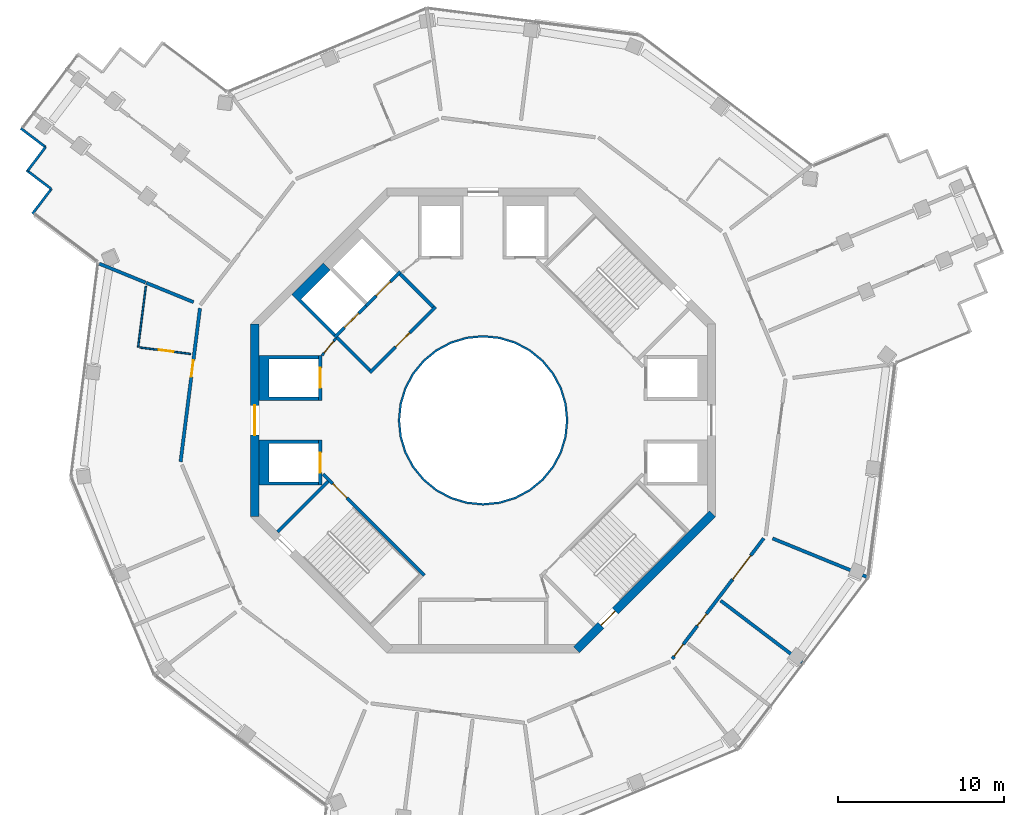
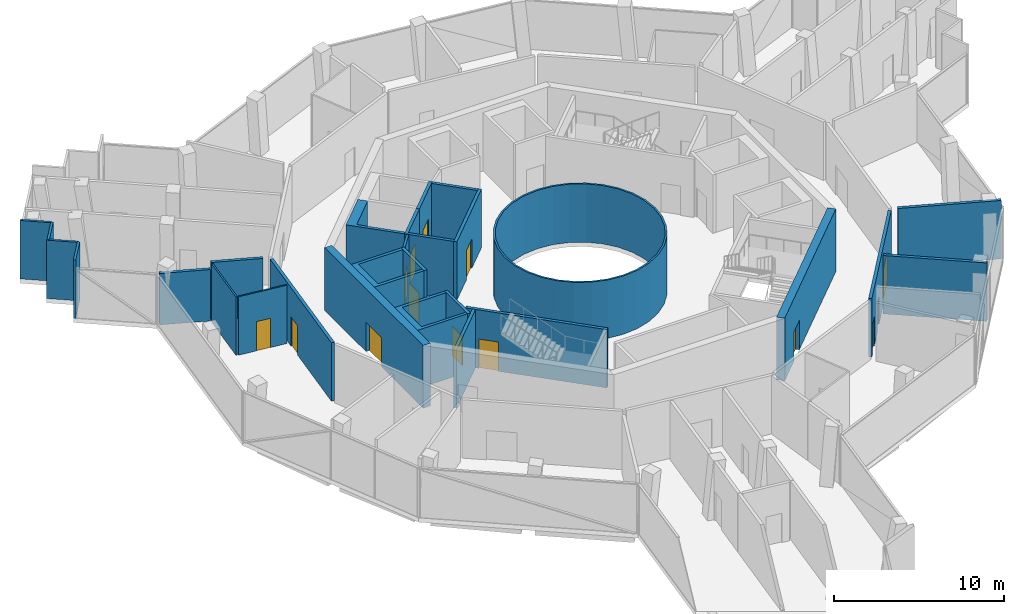
# One storey, part 13 of 18: 28 walls, 14 doors, 14 openings.
"""IFC4 building model written with IfcOpenShell, lengths in metres."""

from ifc_helpers import new_model, si_unit, direction, frame, frame_2d, origin, place, context, subcontext, project, spatial, polyline, rectangle, outline, extrude, material, layer, layer_set, type_object, element, fill, save


model = new_model("IFC4")

# Units and contexts
model_context = context("Model", 3, precision=1e-05, world=origin(), true_north=direction((0.0, 1.0)))
body_context = subcontext(model_context, "Body", "Model", "MODEL_VIEW")
ifc_project = project(units=[si_unit("LENGTHUNIT", "METRE"), si_unit("AREAUNIT", "SQUARE_METRE"), si_unit("VOLUMEUNIT", "CUBIC_METRE"), si_unit("PLANEANGLEUNIT", "RADIAN"), si_unit("MASSUNIT", "GRAM", prefix="KILO")], contexts=[model_context])

# Site, building, storey
site_placement = place(None, origin())
site = spatial("IfcSite", under=ifc_project, at=site_placement, CompositionType="ELEMENT")
building_placement = place(site_placement, origin())
building = spatial("IfcBuilding", under=site, at=building_placement, Name="Verdalira Terraces Hotel", CompositionType="ELEMENT")
storey_placement = place(building_placement, frame((0.0, 0.0, 248.0)))
storey = spatial("IfcBuildingStorey", under=building, at=storey_placement, Name="L61", CompositionType="ELEMENT", Elevation=248.0)

# Walls
ifc_material_1 = material(Name="Fire-resisting glass EI 180", Category="glass")
ifc_layer_1 = layer(ifc_material_1, 0.1201171875)
ifc_layer_set_1 = layer_set([ifc_layer_1], Name="Atrium fire screen 120 mm")
wall_type_1 = type_object("IfcWallType", Name="Atrium fire screen 120 mm", PredefinedType="SOLIDWALL", material=ifc_layer_set_1)
wall_1_placement = place(storey_placement, origin())
element("IfcWall", 1, at=wall_1_placement, inside=storey, type_object=wall_type_1, Name="Atrium fire screen", PredefinedType="SOLIDWALL", context=body_context, shape_type="SweptSolid", body=[
    extrude(outline(polyline([(5.021484, -0.998779), (4.730225, -1.959229), (4.25708, -2.844482), (3.620361, -3.620361), (2.844482, -4.25708), (1.959229, -4.730225), (0.998779, -5.021484), (0.0, -5.120117), (-0.998779, -5.021484), (-1.959229, -4.730225), (-2.844482, -4.25708), (-3.620361, -3.620361), (-4.25708, -2.844482), (-4.730225, -1.959229), (-5.021484, -0.998779), (-5.120117, 0.0), (-5.021484, 0.998779), (-4.730225, 1.959229), (-4.25708, 2.844482), (-3.620361, 3.620361), (-2.844482, 4.25708), (-1.959229, 4.730225), (-0.998779, 5.021484), (0.0, 5.120117), (0.998779, 5.021484), (1.959229, 4.730225), (2.844482, 4.25708), (3.620361, 3.620361), (4.25708, 2.844482), (4.730225, 1.959229), (5.021484, 0.998779), (5.120117, 0.0), (5.021484, -0.998779)]), holes=[polyline([(4.903809, 0.975586), (4.619385, 1.91333), (4.157227, 2.777832), (3.5354, 3.5354), (2.777832, 4.157227), (1.91333, 4.619385), (0.975586, 4.903809), (0.0, 5.0), (-0.975586, 4.903809), (-1.91333, 4.619385), (-2.777832, 4.157227), (-3.5354, 3.5354), (-4.157227, 2.777832), (-4.619385, 1.91333), (-4.903809, 0.975586), (-5.0, 0.0), (-4.903809, -0.975586), (-4.619385, -1.91333), (-4.157227, -2.777832), (-3.5354, -3.5354), (-2.777832, -4.157227), (-1.91333, -4.619385), (-0.975586, -4.903809), (0.0, -5.0), (0.975586, -4.903809), (1.91333, -4.619385), (2.777832, -4.157227), (3.5354, -3.5354), (4.157227, -2.777832), (4.619385, -1.91333), (4.903809, -0.975586), (5.0, 0.0), (4.903809, 0.975586)])]), origin(), (0.0, 0.0, 1.0), 4.189941),
])
ifc_material_2 = material(Name="Moisture-resistant gypsum board partition")
ifc_layer_2 = layer(ifc_material_2, 0.10009765625)
ifc_layer_set_2 = layer_set([ifc_layer_2], Name="Bathroom partition 100 mm")
wall_type_2 = type_object("IfcWallType", Name="Bathroom partition 100 mm", PredefinedType="PARTITIONING", material=ifc_layer_set_2)
wall_2_placement = place(storey_placement, frame((-20.770996, 4.39624, 0.0), z_axis=(0.0, 0.0, 1.0), x_axis=(0.125300159, 0.992118879, 0.0)))
element("IfcWall", 2, at=wall_2_placement, inside=storey, type_object=wall_type_2, Name="Bathroom partition", PredefinedType="PARTITIONING", context=body_context, shape_type="SweptSolid", body=[
    extrude(rectangle(XDim=3.704102, YDim=0.100098, at=frame_2d((1.852051, 0.0))), origin(), (0.0, 0.0, 1.0), 4.189941),
])

# Wall, opening, door
wall_3_placement = place(storey_placement, frame((-20.671875, 4.383789, 0.0), z_axis=(0.0, 0.0, 1.0), x_axis=(0.99210978, -0.125372184, 0.0)))
wall_3 = element("IfcWall", 3, at=wall_3_placement, inside=storey, type_object=wall_type_2, Name="Bathroom partition", PredefinedType="PARTITIONING", context=body_context, shape_type="SweptSolid", body=[
    extrude(rectangle(XDim=3.100098, YDim=0.100098, at=frame_2d((1.550049, 0.0))), origin(), (0.0, 0.0, 1.0), 4.189941),
])
opening_1_placement = place(wall_3_placement, frame((1.149902, 0.0, 0.0)))
opening_1 = element("IfcOpeningElement", 4, at=opening_1_placement, cuts=wall_3, Name="Opening L61-105", PredefinedType="OPENING", context=body_context, shape_type="SweptSolid", body=[
    extrude(rectangle(XDim=0.899902, YDim=2.100098, at=frame_2d((0.449951, 1.050049))), frame((0.0, 0.060059, 0.0), z_axis=(0.0, -1.0, 0.0), x_axis=(1.0, 0.0, 0.0)), (0.0, 0.0, 1.0), 0.120117),
])
ifc_material_3 = material(Name="Timber door", Category="wood")
door_type_1 = type_object("IfcDoorType", Name="Bathroom door 900 x 2100", OperationType="NOTDEFINED", PredefinedType="DOOR", material=ifc_material_3)
door_1_placement = place(opening_1_placement, origin())
door_1 = element("IfcDoor", 5, at=door_1_placement, inside=storey, type_object=door_type_1, Name="Bathroom door 6102", OperationType="SINGLE_SWING_LEFT", OverallHeight=2.10009765625, OverallWidth=0.89990234375, PredefinedType="DOOR", context=body_context, shape_type="SweptSolid", body=[
    extrude(rectangle(XDim=0.899902, YDim=2.100098, at=frame_2d((0.449951, 1.050049))), frame((0.0, 0.024902, 0.0), z_axis=(0.0, -1.0, 0.0), x_axis=(1.0, 0.0, 0.0)), (0.0, 0.0, 1.0), 0.050049),
])
fill(opening_1, door_1)

# Wall
ifc_material_4 = material(Name="Concrete C50", Category="concrete")
ifc_layer_3 = layer(ifc_material_4, 0.199951171875)
ifc_layer_set_3 = layer_set([ifc_layer_3], Name="Core RC wall 200 C50")
wall_type_3 = type_object("IfcWallType", Name="Core RC wall 200 C50", PredefinedType="SOLIDWALL", material=ifc_layer_set_3)
wall_4_placement = place(storey_placement, origin())
element("IfcWall", 6, at=wall_4_placement, inside=storey, type_object=wall_type_3, Name="L61 shaft wall W1", PredefinedType="SOLIDWALL", context=body_context, shape_type="SweptSolid", body=[
    extrude(outline(polyline([(-13.5, 3.899902), (-9.899902, 3.899902), (-9.899902, 3.699951), (-12.899902, 3.699951), (-12.899902, 1.399902), (-9.899902, 1.399902), (-9.899902, 1.199951), (-13.5, 1.199951), (-13.5, 3.899902)])), origin(), (0.0, 0.0, 1.0), 4.189941),
])

# Wall, opening, door
wall_5_placement = place(storey_placement, frame((-9.800049, 1.199951, 0.0), z_axis=(0.0, 0.0, 1.0), x_axis=(0.0, 1.0, 0.0)))
wall_5 = element("IfcWall", 7, at=wall_5_placement, inside=storey, type_object=wall_type_3, Name="L61 shaft front wall W1", PredefinedType="SOLIDWALL", context=body_context, shape_type="SweptSolid", body=[
    extrude(rectangle(XDim=2.699951, YDim=0.199951, at=frame_2d((1.350098, 0.0))), origin(), (0.0, 0.0, 1.0), 4.189941),
])
opening_2_placement = place(wall_5_placement, frame((0.75, 0.0, 0.0)))
opening_2 = element("IfcOpeningElement", 8, at=opening_2_placement, cuts=wall_5, Name="Opening LD-L61-806", PredefinedType="OPENING", context=body_context, shape_type="SweptSolid", body=[
    extrude(rectangle(XDim=1.199951, YDim=2.100098, at=frame_2d((0.600098, 1.050049))), frame((0.0, 0.109863, 0.0), z_axis=(0.0, -1.0, 0.0), x_axis=(1.0, 0.0, 0.0)), (0.0, 0.0, 1.0), 0.219971),
])
ifc_material_5 = material(Name="Stainless steel", Category="steel")
door_type_2 = type_object("IfcDoorType", Name="Landing door 1200 x 2100", OperationType="NOTDEFINED", PredefinedType="DOOR", material=ifc_material_5)
door_2_placement = place(opening_2_placement, origin())
door_2 = element("IfcDoor", 9, at=door_2_placement, inside=storey, type_object=door_type_2, Name="Lift landing door HR5 L61", OperationType="DOUBLE_DOOR_SLIDING", OverallHeight=2.10009765625, OverallWidth=1.199951171875, PredefinedType="DOOR", context=body_context, shape_type="SweptSolid", body=[
    extrude(rectangle(XDim=1.199951, YDim=2.100098, at=frame_2d((0.600098, 1.050049))), frame((0.0, 0.024902, 0.0), z_axis=(0.0, -1.0, 0.0), x_axis=(1.0, 0.0, 0.0)), (0.0, 0.0, 1.0), 0.050049),
])
fill(opening_2, door_2)

# Wall
wall_6_placement = place(storey_placement, origin())
element("IfcWall", 10, at=wall_6_placement, inside=storey, type_object=wall_type_3, Name="L61 shaft wall W2", PredefinedType="SOLIDWALL", context=body_context, shape_type="SweptSolid", body=[
    extrude(outline(polyline([(-13.5, -3.899902), (-13.5, -1.199951), (-9.899902, -1.199951), (-9.899902, -1.399902), (-12.899902, -1.399902), (-12.899902, -3.699951), (-9.899902, -3.699951), (-9.899902, -3.899902), (-13.5, -3.899902)])), origin(), (0.0, 0.0, 1.0), 4.189941),
])

# Wall, opening, door
wall_7_placement = place(storey_placement, frame((-9.800049, -1.199951, 0.0), z_axis=(0.0, 0.0, 1.0), x_axis=(0.0, -1.0, 0.0)))
wall_7 = element("IfcWall", 11, at=wall_7_placement, inside=storey, type_object=wall_type_3, Name="L61 shaft front wall W2", PredefinedType="SOLIDWALL", context=body_context, shape_type="SweptSolid", body=[
    extrude(rectangle(XDim=2.699951, YDim=0.199951, at=frame_2d((1.350098, 0.0))), origin(), (0.0, 0.0, 1.0), 4.189941),
])
opening_3_placement = place(wall_7_placement, frame((0.75, 0.0, 0.0)))
opening_3 = element("IfcOpeningElement", 12, at=opening_3_placement, cuts=wall_7, Name="Opening LD-L61-807", PredefinedType="OPENING", context=body_context, shape_type="SweptSolid", body=[
    extrude(rectangle(XDim=1.199951, YDim=2.100098, at=frame_2d((0.600098, 1.050049))), frame((0.0, 0.109863, 0.0), z_axis=(0.0, -1.0, 0.0), x_axis=(1.0, 0.0, 0.0)), (0.0, 0.0, 1.0), 0.219971),
])
door_3_placement = place(opening_3_placement, origin())
door_3 = element("IfcDoor", 13, at=door_3_placement, inside=storey, type_object=door_type_2, Name="Lift landing door HR6 L61", OperationType="DOUBLE_DOOR_SLIDING", OverallHeight=2.10009765625, OverallWidth=1.199951171875, PredefinedType="DOOR", context=body_context, shape_type="SweptSolid", body=[
    extrude(rectangle(XDim=1.199951, YDim=2.100098, at=frame_2d((0.600098, 1.050049))), frame((0.0, 0.024902, 0.0), z_axis=(0.0, -1.0, 0.0), x_axis=(1.0, 0.0, 0.0)), (0.0, 0.0, 1.0), 0.050049),
])
fill(opening_3, door_3)

wall_8_placement = place(storey_placement, frame((-4.985107, 8.944824, 0.0), z_axis=(0.0, 0.0, 1.0), x_axis=(-0.707106781, -0.707106781, 0.0)))
wall_8 = element("IfcWall", 14, at=wall_8_placement, inside=storey, type_object=wall_type_3, Name="L61 shaft front wall F1", PredefinedType="SOLIDWALL", context=body_context, shape_type="SweptSolid", body=[
    extrude(rectangle(XDim=2.899902, YDim=0.199951, at=frame_2d((1.449951, 0.0))), origin(), (0.0, 0.0, 1.0), 4.189941),
])
opening_4_placement = place(wall_8_placement, frame((0.850098, 0.0, 0.0)))
opening_4 = element("IfcOpeningElement", 15, at=opening_4_placement, cuts=wall_8, Name="Opening LD-L61-808", PredefinedType="OPENING", context=body_context, shape_type="SweptSolid", body=[
    extrude(rectangle(XDim=1.199951, YDim=2.100098, at=frame_2d((0.600098, 1.050049))), frame((0.0, 0.109863, 0.0), z_axis=(0.0, -1.0, 0.0), x_axis=(1.0, 0.0, 0.0)), (0.0, 0.0, 1.0), 0.219971),
])
door_4_placement = place(opening_4_placement, origin())
door_4 = element("IfcDoor", 16, at=door_4_placement, inside=storey, type_object=door_type_2, Name="Lift landing door LF11 L61", OperationType="DOUBLE_DOOR_SLIDING", OverallHeight=2.10009765625, OverallWidth=1.199951171875, PredefinedType="DOOR", context=body_context, shape_type="SweptSolid", body=[
    extrude(rectangle(XDim=1.199951, YDim=2.100098, at=frame_2d((0.600098, 1.050049))), frame((0.0, 0.024902, 0.0), z_axis=(0.0, -1.0, 0.0), x_axis=(1.0, 0.0, 0.0)), (0.0, 0.0, 1.0), 0.050049),
])
fill(opening_4, door_4)

# Wall
wall_9_placement = place(storey_placement, origin())
element("IfcWall", 17, at=wall_9_placement, inside=storey, type_object=wall_type_3, Name="L61 shaft wall F2", PredefinedType="SOLIDWALL", context=body_context, shape_type="SweptSolid", body=[
    extrude(outline(polyline([(-11.525879, 7.565918), (-9.616699, 9.475098), (-9.192383, 9.051025), (-10.960205, 7.283203), (-8.874268, 5.197266), (-9.015625, 5.055908), (-11.525879, 7.565918)])), origin(), (0.0, 0.0, 1.0), 4.189941),
])

# Wall, opening, door
wall_10_placement = place(storey_placement, frame((-7.035645, 6.894287, 0.0), z_axis=(0.0, 0.0, 1.0), x_axis=(-0.707106781, -0.707106781, 0.0)))
wall_10 = element("IfcWall", 18, at=wall_10_placement, inside=storey, type_object=wall_type_3, Name="L61 shaft front wall F2", PredefinedType="SOLIDWALL", context=body_context, shape_type="SweptSolid", body=[
    extrude(rectangle(XDim=2.699951, YDim=0.199951, at=frame_2d((1.350098, 0.0))), origin(), (0.0, 0.0, 1.0), 4.189941),
])
opening_5_placement = place(wall_10_placement, frame((0.649902, 0.0, 0.0)))
opening_5 = element("IfcOpeningElement", 19, at=opening_5_placement, cuts=wall_10, Name="Opening LD-L61-809", PredefinedType="OPENING", context=body_context, shape_type="SweptSolid", body=[
    extrude(rectangle(XDim=1.199951, YDim=2.100098, at=frame_2d((0.600098, 1.050049))), frame((0.0, 0.109863, 0.0), z_axis=(0.0, -1.0, 0.0), x_axis=(1.0, 0.0, 0.0)), (0.0, 0.0, 1.0), 0.219971),
])
door_5_placement = place(opening_5_placement, origin())
door_5 = element("IfcDoor", 20, at=door_5_placement, inside=storey, type_object=door_type_2, Name="Lift landing door LF12 L61", OperationType="DOUBLE_DOOR_SLIDING", OverallHeight=2.10009765625, OverallWidth=1.199951171875, PredefinedType="DOOR", context=body_context, shape_type="SweptSolid", body=[
    extrude(rectangle(XDim=1.199951, YDim=2.100098, at=frame_2d((0.600098, 1.050049))), frame((0.0, 0.024902, 0.0), z_axis=(0.0, -1.0, 0.0), x_axis=(1.0, 0.0, 0.0)), (0.0, 0.0, 1.0), 0.050049),
])
fill(opening_5, door_5)

wall_11_placement = place(storey_placement, frame((-3.5354, -9.33374, 0.0), z_axis=(0.0, 0.0, 1.0), x_axis=(-0.707120946, 0.707092617, 0.0)))
wall_11 = element("IfcWall", 21, at=wall_11_placement, inside=storey, type_object=wall_type_3, Name="L61 stair ST2 front wall", PredefinedType="SOLIDWALL", context=body_context, shape_type="SweptSolid", body=[
    extrude(rectangle(XDim=8.61792, YDim=0.199951, at=frame_2d((4.309082, 0.0))), origin(), (0.0, 0.0, 1.0), 4.189941),
])
opening_6_placement = place(wall_11_placement, frame((6.600098, 0.0, 0.0)))
opening_6 = element("IfcOpeningElement", 22, at=opening_6_placement, cuts=wall_11, Name="Opening L61-811", PredefinedType="OPENING", context=body_context, shape_type="SweptSolid", body=[
    extrude(rectangle(XDim=1.199951, YDim=2.100098, at=frame_2d((0.600098, 1.050049))), frame((0.0, 0.109863, 0.0), z_axis=(0.0, -1.0, 0.0), x_axis=(1.0, 0.0, 0.0)), (0.0, 0.0, 1.0), 0.219971),
])
ifc_material_6 = material(Name="Steel fire door", Category="steel")
door_type_3 = type_object("IfcDoorType", Name="Stair door 1200 x 2100", OperationType="NOTDEFINED", PredefinedType="DOOR", material=ifc_material_6)
door_6_placement = place(opening_6_placement, origin())
door_6 = element("IfcDoor", 23, at=door_6_placement, inside=storey, type_object=door_type_3, Name="Stair door ST2 L61", OperationType="SINGLE_SWING_RIGHT", OverallHeight=2.10009765625, OverallWidth=1.199951171875, PredefinedType="DOOR", context=body_context, shape_type="SweptSolid", body=[
    extrude(rectangle(XDim=1.199951, YDim=2.100098, at=frame_2d((0.600098, 1.050049))), frame((0.0, 0.024902, 0.0), z_axis=(0.0, -1.0, 0.0), x_axis=(1.0, 0.0, 0.0)), (0.0, 0.0, 1.0), 0.050049),
])
fill(opening_6, door_6)

# Wall
wall_12_placement = place(storey_placement, frame((-9.33374, -3.677002, 0.0), z_axis=(0.0, 0.0, 1.0), x_axis=(-0.707135168, -0.707078393, 0.0)))
element("IfcWall", 24, at=wall_12_placement, inside=storey, type_object=wall_type_3, Name="L61 stair ST2 end wall 1", PredefinedType="SOLIDWALL", context=body_context, shape_type="SweptSolid", body=[
    extrude(rectangle(XDim=4.300049, YDim=0.199951, at=frame_2d((2.149902, 0.0))), origin(), (0.0, 0.0, 1.0), 4.189941),
])

# Wall, opening, door
wall_13_placement = place(storey_placement, frame((-2.86377, 6.823486, 0.0), z_axis=(0.0, 0.0, 1.0), x_axis=(-0.707106781, -0.707106781, 0.0)))
wall_13 = element("IfcWall", 25, at=wall_13_placement, inside=storey, type_object=wall_type_3, Name="L61 fire lobby wall", PredefinedType="SOLIDWALL", context=body_context, shape_type="SweptSolid", body=[
    extrude(rectangle(XDim=5.599854, YDim=0.199951, at=frame_2d((2.799805, 0.0))), origin(), (0.0, 0.0, 1.0), 4.189941),
])
opening_7_placement = place(wall_13_placement, frame((2.199951, 0.0, 0.0)))
opening_7 = element("IfcOpeningElement", 26, at=opening_7_placement, cuts=wall_13, Name="Opening L61-819", PredefinedType="OPENING", context=body_context, shape_type="SweptSolid", body=[
    extrude(rectangle(XDim=1.199951, YDim=2.100098, at=frame_2d((0.600098, 1.050049))), frame((0.0, 0.109863, 0.0), z_axis=(0.0, -1.0, 0.0), x_axis=(1.0, 0.0, 0.0)), (0.0, 0.0, 1.0), 0.219971),
])
ifc_material_7 = material(Name="Steel fire door", Category="steel")
door_type_4 = type_object("IfcDoorType", Name="Lobby door 1200 x 2100", OperationType="NOTDEFINED", PredefinedType="DOOR", material=ifc_material_7)
door_7_placement = place(opening_7_placement, origin())
door_7 = element("IfcDoor", 27, at=door_7_placement, inside=storey, type_object=door_type_4, Name="Fire lobby door L61", OperationType="SINGLE_SWING_LEFT", OverallHeight=2.10009765625, OverallWidth=1.199951171875, PredefinedType="DOOR", context=body_context, shape_type="SweptSolid", body=[
    extrude(rectangle(XDim=1.199951, YDim=2.100098, at=frame_2d((0.600098, 1.050049))), frame((0.0, 0.024902, 0.0), z_axis=(0.0, -1.0, 0.0), x_axis=(1.0, 0.0, 0.0)), (0.0, 0.0, 1.0), 0.050049),
])
fill(opening_7, door_7)

# Walls
for number, where, z_axis, x_axis, name in (
    (28, (-3.005127, 6.823486, 0.0), (0.0, 0.0, 1.0), (-0.707106781, 0.707106781, 0.0), "L61 fire lobby wall"),
    (29, (-6.823486, 3.005127, 0.0), (0.0, 0.0, 1.0), (-0.707106781, 0.707106781, 0.0), "L61 fire lobby wall"),
):
    element("IfcWall", number, at=place(storey_placement, frame(where, z_axis=z_axis, x_axis=x_axis)), inside=storey, type_object=wall_type_3, Name=name, PredefinedType="SOLIDWALL", context=body_context, shape_type="SweptSolid", body=[
        extrude(rectangle(XDim=2.800049, YDim=0.199951, at=frame_2d((1.399902, 0.0))), origin(), (0.0, 0.0, 1.0), 4.189941),
    ])

# Wall, opening, door
ifc_material_8 = material(Name="Gypsum board partition")
ifc_layer_4 = layer(ifc_material_8, 0.14990234375)
ifc_layer_set_4 = layer_set([ifc_layer_4], Name="Core partition 150 mm")
wall_type_4 = type_object("IfcWallType", Name="Core partition 150 mm", PredefinedType="PARTITIONING", material=ifc_layer_set_4)
wall_14_placement = place(storey_placement, frame((-8.874268, 4.914307, 0.0), z_axis=(0.0, 0.0, 1.0), x_axis=(-0.631274009, -0.775559878, 0.0)))
wall_14 = element("IfcWall", 30, at=wall_14_placement, inside=storey, type_object=wall_type_4, Name="Room partition L61", PredefinedType="PARTITIONING", context=body_context, shape_type="SweptSolid", body=[
    extrude(rectangle(XDim=1.307861, YDim=0.149902, at=frame_2d((0.653809, 0.0))), origin(), (0.0, 0.0, 1.0), 4.189941),
])
opening_8_placement = place(wall_14_placement, frame((0.204102, 0.0, 0.0)))
opening_8 = element("IfcOpeningElement", 31, at=opening_8_placement, cuts=wall_14, Name="Opening L61-821", PredefinedType="OPENING", context=body_context, shape_type="SweptSolid", body=[
    extrude(rectangle(XDim=0.899902, YDim=2.100098, at=frame_2d((0.449951, 1.050049))), frame((0.0, 0.084961, 0.0), z_axis=(0.0, -1.0, 0.0), x_axis=(1.0, 0.0, 0.0)), (0.0, 0.0, 1.0), 0.169922),
])
ifc_material_9 = material(Name="Steel fire door", Category="steel")
door_type_5 = type_object("IfcDoorType", Name="Core room door 900 x 2100", OperationType="NOTDEFINED", PredefinedType="DOOR", material=ifc_material_9)
door_8_placement = place(opening_8_placement, origin())
door_8 = element("IfcDoor", 32, at=door_8_placement, inside=storey, type_object=door_type_5, Name="Door L61 room3", OperationType="SINGLE_SWING_LEFT", OverallHeight=2.10009765625, OverallWidth=0.89990234375, PredefinedType="DOOR", context=body_context, shape_type="SweptSolid", body=[
    extrude(rectangle(XDim=0.899902, YDim=2.100098, at=frame_2d((0.449951, 1.050049))), frame((0.0, 0.024902, 0.0), z_axis=(0.0, -1.0, 0.0), x_axis=(1.0, 0.0, 0.0)), (0.0, 0.0, 1.0), 0.050049),
])
fill(opening_8, door_8)

ifc_material_10 = material(Name="Concrete C50", Category="concrete")
ifc_layer_5 = layer(ifc_material_10, 0.5)
ifc_layer_set_5 = layer_set([ifc_layer_5], Name="Core wall 500 C50")
wall_type_5 = type_object("IfcWallType", Name="Core wall 500 C50", PredefinedType="SHEAR", material=ifc_layer_set_5)
wall_15_placement = place(storey_placement, frame((-13.75, 5.799072, 0.0), z_axis=(0.0, 0.0, 1.0), x_axis=(0.0, -1.0, 0.0)))
wall_15 = element("IfcWall", 33, at=wall_15_placement, inside=storey, type_object=wall_type_5, Name="Core wall CW-L61-5", PredefinedType="SHEAR", context=body_context, shape_type="SweptSolid", body=[
    extrude(rectangle(XDim=11.598145, YDim=0.5, at=frame_2d((5.799072, 0.0))), origin(), (0.0, 0.0, 1.0), 4.5),
])
opening_9_placement = place(wall_15_placement, frame((4.898926, 0.0, 0.0)))
opening_9 = element("IfcOpeningElement", 34, at=opening_9_placement, cuts=wall_15, Name="Opening L61-815", PredefinedType="OPENING", context=body_context, shape_type="SweptSolid", body=[
    extrude(rectangle(XDim=1.800049, YDim=2.100098, at=frame_2d((0.899902, 1.050049))), frame((0.0, 0.26001, 0.0), z_axis=(0.0, -1.0, 0.0), x_axis=(1.0, 0.0, 0.0)), (0.0, 0.0, 1.0), 0.52002),
])
ifc_material_11 = material(Name="Steel fire door", Category="steel")
door_type_6 = type_object("IfcDoorType", Name="Core entry door pair 1800 x 2100", OperationType="NOTDEFINED", PredefinedType="DOOR", material=ifc_material_11)
door_9_placement = place(opening_9_placement, origin())
door_9 = element("IfcDoor", 35, at=door_9_placement, inside=storey, type_object=door_type_6, Name="Core entry door L61 4", OperationType="DOUBLE_DOOR_SINGLE_SWING", OverallHeight=2.10009765625, OverallWidth=1.800048828125, PredefinedType="DOOR", context=body_context, shape_type="SweptSolid", body=[
    extrude(rectangle(XDim=1.800049, YDim=2.100098, at=frame_2d((0.899902, 1.050049))), frame((0.0, 0.024902, 0.0), z_axis=(0.0, -1.0, 0.0), x_axis=(1.0, 0.0, 0.0)), (0.0, 0.0, 1.0), 0.050049),
])
fill(opening_9, door_9)

wall_16_placement = place(storey_placement, frame((5.622314, -13.823242, 0.0), z_axis=(0.0, 0.0, 1.0), x_axis=(0.707106781, 0.707106781, 0.0)))
wall_16 = element("IfcWall", 36, at=wall_16_placement, inside=storey, type_object=wall_type_5, Name="Core wall CW-L61-8", PredefinedType="SHEAR", context=body_context, shape_type="SweptSolid", body=[
    extrude(rectangle(XDim=11.5979, YDim=0.5, at=frame_2d((5.798828, 0.0))), origin(), (0.0, 0.0, 1.0), 4.5),
])
opening_10_placement = place(wall_16_placement, frame((2.099121, 0.0, 0.0)))
opening_10 = element("IfcOpeningElement", 37, at=opening_10_placement, cuts=wall_16, Name="Opening L61-818", PredefinedType="OPENING", context=body_context, shape_type="SweptSolid", body=[
    extrude(rectangle(XDim=1.199951, YDim=2.100098, at=frame_2d((0.600098, 1.050049))), frame((0.0, 0.26001, 0.0), z_axis=(0.0, -1.0, 0.0), x_axis=(1.0, 0.0, 0.0)), (0.0, 0.0, 1.0), 0.52002),
])
door_10_placement = place(opening_10_placement, origin())
door_10 = element("IfcDoor", 38, at=door_10_placement, inside=storey, type_object=door_type_3, Name="Stair exit door ST3 L61", OperationType="SINGLE_SWING_LEFT", OverallHeight=2.10009765625, OverallWidth=1.199951171875, PredefinedType="DOOR", context=body_context, shape_type="SweptSolid", body=[
    extrude(rectangle(XDim=1.199951, YDim=2.100098, at=frame_2d((0.600098, 1.050049))), frame((0.0, 0.024902, 0.0), z_axis=(0.0, -1.0, 0.0), x_axis=(1.0, 0.0, 0.0)), (0.0, 0.0, 1.0), 0.050049),
])
fill(opening_10, door_10)

# Walls
ifc_material_12 = material(Name="Fire-rated gypsum board wall")
ifc_layer_6 = layer(ifc_material_12, 0.199951171875)
ifc_layer_set_6 = layer_set([ifc_layer_6], Name="Demising wall 200 mm")
wall_type_6 = type_object("IfcWallType", Name="Demising wall 200 mm", PredefinedType="SOLIDWALL", material=ifc_layer_set_6)
wall_17_placement = place(storey_placement, frame((-17.436035, 7.115479, 0.0), z_axis=(0.0, 0.0, 1.0), x_axis=(-0.925880525, 0.377816427, 0.0)))
element("IfcWall", 39, at=wall_17_placement, inside=storey, type_object=wall_type_6, Name="Demising wall", PredefinedType="SOLIDWALL", context=body_context, shape_type="SweptSolid", body=[
    extrude(rectangle(XDim=3.074463, YDim=0.199951, at=frame_2d((1.537109, 0.0))), origin(), (0.0, 0.0, 1.0), 4.189941),
])
wall_18_placement = place(storey_placement, frame((17.436035, -7.115479, 0.0), z_axis=(0.0, 0.0, 1.0), x_axis=(0.925873227, -0.377834312, 0.0)))
element("IfcWall", 40, at=wall_18_placement, inside=storey, type_object=wall_type_6, Name="Demising wall", PredefinedType="SOLIDWALL", context=body_context, shape_type="SweptSolid", body=[
    extrude(rectangle(XDim=6.13208, YDim=0.199951, at=frame_2d((3.065918, 0.0))), origin(), (0.0, 0.0, 1.0), 4.189941),
])
ifc_material_13 = material(Name="Fire-rated gypsum board wall")
ifc_layer_7 = layer(ifc_material_13, 0.199951171875)
ifc_layer_set_7 = layer_set([ifc_layer_7], Name="Demising wall 200 mm to beam soffit")
wall_type_7 = type_object("IfcWallType", Name="Demising wall 200 mm to beam soffit", PredefinedType="SOLIDWALL", material=ifc_layer_set_7)
wall_19_placement = place(storey_placement, frame((-20.325195, 8.294678, 0.0), z_axis=(0.0, 0.0, 1.0), x_axis=(-0.925893946, 0.377783538, 0.0)))
element("IfcWall", 41, at=wall_19_placement, inside=storey, type_object=wall_type_7, Name="Demising wall", PredefinedType="SOLIDWALL", context=body_context, shape_type="SweptSolid", body=[
    extrude(rectangle(XDim=3.011475, YDim=0.199951, at=frame_2d((1.505859, 0.0))), origin(), (0.0, 0.0, 1.0), 3.689941),
])

# Wall, opening, door
ifc_material_14 = material(Name="Fire-rated gypsum board wall")
ifc_layer_8 = layer(ifc_material_14, 0.199951171875)
ifc_layer_set_8 = layer_set([ifc_layer_8], Name="Guest corridor wall 200 mm")
wall_type_8 = type_object("IfcWallType", Name="Guest corridor wall 200 mm", PredefinedType="SOLIDWALL", material=ifc_layer_set_8)
wall_20_placement = place(storey_placement, frame((-18.2146, -2.494629, 0.0), z_axis=(0.0, 0.0, 1.0), x_axis=(0.125318334, 0.992116583, 0.0)))
wall_20 = element("IfcWall", 42, at=wall_20_placement, inside=storey, type_object=wall_type_8, Name="Guest corridor wall", PredefinedType="SOLIDWALL", context=body_context, shape_type="SweptSolid", body=[
    extrude(rectangle(XDim=9.316162, YDim=0.199951, at=frame_2d((4.658203, 0.0))), origin(), (0.0, 0.0, 1.0), 4.189941),
])
opening_11_placement = place(wall_20_placement, frame((5.149902, 0.0, 0.0)))
opening_11 = element("IfcOpeningElement", 43, at=opening_11_placement, cuts=wall_20, Name="Opening L61-104", PredefinedType="OPENING", context=body_context, shape_type="SweptSolid", body=[
    extrude(rectangle(XDim=1.0, YDim=2.100098, at=frame_2d((0.5, 1.050049))), frame((0.0, 0.109863, 0.0), z_axis=(0.0, -1.0, 0.0), x_axis=(1.0, 0.0, 0.0)), (0.0, 0.0, 1.0), 0.219971),
])
ifc_material_15 = material(Name="Timber fire door", Category="wood")
door_type_7 = type_object("IfcDoorType", Name="Guest entry door 1000 x 2100", OperationType="NOTDEFINED", PredefinedType="DOOR", material=ifc_material_15)
door_11_placement = place(opening_11_placement, origin())
door_11 = element("IfcDoor", 44, at=door_11_placement, inside=storey, type_object=door_type_7, Name="Guest entry door 6102", OperationType="SINGLE_SWING_LEFT", OverallHeight=2.10009765625, OverallWidth=1.0, PredefinedType="DOOR", context=body_context, shape_type="SweptSolid", body=[
    extrude(rectangle(XDim=1.0, YDim=2.100098, at=frame_2d((0.5, 1.050049))), frame((0.0, 0.024902, 0.0), z_axis=(0.0, -1.0, 0.0), x_axis=(1.0, 0.0, 0.0)), (0.0, 0.0, 1.0), 0.050049),
])
fill(opening_11, door_11)

# Wall, openings, doors
wall_21_placement = place(storey_placement, frame((16.900879, -7.105957, 0.0), z_axis=(0.0, 0.0, 1.0), x_axis=(-0.604596298, -0.796532056, 0.0)))
wall_21 = element("IfcWall", 45, at=wall_21_placement, inside=storey, type_object=wall_type_8, Name="Guest corridor wall", PredefinedType="SOLIDWALL", context=body_context, shape_type="SweptSolid", body=[
    extrude(rectangle(XDim=9.116455, YDim=0.199951, at=frame_2d((4.558105, 0.0))), origin(), (0.0, 0.0, 1.0), 4.189941),
])
opening_12_placement = place(wall_21_placement, frame((1.300049, 0.0, 0.0)))
opening_12 = element("IfcOpeningElement", 46, at=opening_12_placement, cuts=wall_21, Name="Opening L61-113", PredefinedType="OPENING", context=body_context, shape_type="SweptSolid", body=[
    extrude(rectangle(XDim=1.800049, YDim=2.100098, at=frame_2d((0.899902, 1.050049))), frame((0.0, 0.109863, 0.0), z_axis=(0.0, -1.0, 0.0), x_axis=(1.0, 0.0, 0.0)), (0.0, 0.0, 1.0), 0.219971),
])
opening_13_placement = place(wall_21_placement, frame((8.008301, 0.0, 0.0)))
opening_13 = element("IfcOpeningElement", 47, at=opening_13_placement, cuts=wall_21, Name="Opening L61-123", PredefinedType="OPENING", context=body_context, shape_type="SweptSolid", body=[
    extrude(rectangle(XDim=0.899902, YDim=2.100098, at=frame_2d((0.449951, 1.050049))), frame((0.0, 0.109863, 0.0), z_axis=(0.0, -1.0, 0.0), x_axis=(1.0, 0.0, 0.0)), (0.0, 0.0, 1.0), 0.219971),
])
opening_14_placement = place(wall_21_placement, frame((5.708252, 0.0, 0.0)))
opening_14 = element("IfcOpeningElement", 48, at=opening_14_placement, cuts=wall_21, Name="Opening L61-124", PredefinedType="OPENING", context=body_context, shape_type="SweptSolid", body=[
    extrude(rectangle(XDim=0.899902, YDim=2.100098, at=frame_2d((0.449951, 1.050049))), frame((0.0, 0.109863, 0.0), z_axis=(0.0, -1.0, 0.0), x_axis=(1.0, 0.0, 0.0)), (0.0, 0.0, 1.0), 0.219971),
])
ifc_material_16 = material(Name="Timber fire door", Category="wood")
door_type_8 = type_object("IfcDoorType", Name="Public room double door 1800 x 2100", OperationType="NOTDEFINED", PredefinedType="DOOR", material=ifc_material_16)
door_12_placement = place(opening_12_placement, origin())
door_12 = element("IfcDoor", 49, at=door_12_placement, inside=storey, type_object=door_type_8, Name="Public room double door 6106", OperationType="DOUBLE_DOOR_SINGLE_SWING", OverallHeight=2.10009765625, OverallWidth=1.800048828125, PredefinedType="DOOR", context=body_context, shape_type="SweptSolid", body=[
    extrude(rectangle(XDim=1.800049, YDim=2.100098, at=frame_2d((0.899902, 1.050049))), frame((0.0, 0.024902, 0.0), z_axis=(0.0, -1.0, 0.0), x_axis=(1.0, 0.0, 0.0)), (0.0, 0.0, 1.0), 0.050049),
])
fill(opening_12, door_12)
ifc_material_17 = material(Name="Timber fire door", Category="wood")
door_type_9 = type_object("IfcDoorType", Name="Toilet door 900 x 2100", OperationType="NOTDEFINED", PredefinedType="DOOR", material=ifc_material_17)
door_13_placement = place(opening_13_placement, origin())
door_13 = element("IfcDoor", 50, at=door_13_placement, inside=storey, type_object=door_type_9, Name="Toilet door 6112", OperationType="SINGLE_SWING_LEFT", OverallHeight=2.10009765625, OverallWidth=0.89990234375, PredefinedType="DOOR", context=body_context, shape_type="SweptSolid", body=[
    extrude(rectangle(XDim=0.899902, YDim=2.100098, at=frame_2d((0.449951, 1.050049))), frame((0.0, 0.024902, 0.0), z_axis=(0.0, -1.0, 0.0), x_axis=(1.0, 0.0, 0.0)), (0.0, 0.0, 1.0), 0.050049),
])
fill(opening_13, door_13)
door_14_placement = place(opening_14_placement, origin())
door_14 = element("IfcDoor", 51, at=door_14_placement, inside=storey, type_object=door_type_9, Name="Toilet door 6113", OperationType="SINGLE_SWING_LEFT", OverallHeight=2.10009765625, OverallWidth=0.89990234375, PredefinedType="DOOR", context=body_context, shape_type="SweptSolid", body=[
    extrude(rectangle(XDim=0.899902, YDim=2.100098, at=frame_2d((0.449951, 1.050049))), frame((0.0, 0.024902, 0.0), z_axis=(0.0, -1.0, 0.0), x_axis=(1.0, 0.0, 0.0)), (0.0, 0.0, 1.0), 0.050049),
])
fill(opening_14, door_14)

# Walls
ifc_material_18 = material(Name="Fire-rated gypsum board wall")
ifc_layer_9 = layer(ifc_material_18, 0.199951171875)
ifc_layer_set_9 = layer_set([ifc_layer_9], Name="Service room wall 200 mm")
wall_type_9 = type_object("IfcWallType", Name="Service room wall 200 mm", PredefinedType="SOLIDWALL", material=ifc_layer_set_9)
wall_22_placement = place(storey_placement, frame((19.202881, -14.575684, 0.0), z_axis=(0.0, 0.0, 1.0), x_axis=(-0.796542267, 0.604582846, 0.0)))
element("IfcWall", 52, at=wall_22_placement, inside=storey, type_object=wall_type_9, Name="Service room wall", PredefinedType="SOLIDWALL", context=body_context, shape_type="SweptSolid", body=[
    extrude(rectangle(XDim=6.149414, YDim=0.199951, at=frame_2d((3.074707, 0.0))), origin(), (0.0, 0.0, 1.0), 4.189941),
])
ifc_material_19 = material(Name="Terracotta cladding", Category="masonry")
ifc_layer_10 = layer(ifc_material_19, 0.14990234375)
ifc_layer_set_10 = layer_set([ifc_layer_10], Name="Terracotta clad wall 150")
wall_type_10 = type_object("IfcWallType", Name="Terracotta clad wall 150", PredefinedType="SOLIDWALL", material=ifc_layer_set_10)
wall_23_placement = place(storey_placement, frame((-27.838379, 17.583984, 0.0), z_axis=(0.0, 0.0, 1.0), x_axis=(0.796470703, -0.60467712, 0.0)))
element("IfcWall", 53, at=wall_23_placement, inside=storey, type_object=wall_type_10, Name="Terracotta cladding wall", PredefinedType="SOLIDWALL", context=body_context, shape_type="SweptSolid", body=[
    extrude(rectangle(XDim=1.875, YDim=0.149902, at=frame_2d((0.9375, 0.0))), origin(), (0.0, 0.0, 1.0), 4.189941),
])
wall_24_placement = place(storey_placement, frame((-26.344971, 16.450195, 0.0), z_axis=(0.0, 0.0, 1.0), x_axis=(-0.604677373, -0.796470511, 0.0)))
element("IfcWall", 54, at=wall_24_placement, inside=storey, type_object=wall_type_10, Name="Terracotta cladding wall", PredefinedType="SOLIDWALL", context=body_context, shape_type="SweptSolid", body=[
    extrude(rectangle(XDim=1.800049, YDim=0.149902, at=frame_2d((0.899902, 0.0))), origin(), (0.0, 0.0, 1.0), 4.189941),
])
for number, where, z_axis, x_axis, name in (
    (55, (-27.49292, 15.061768, 0.0), (0.0, 0.0, 1.0), (0.796533412, -0.604594512, 0.0), "Terracotta cladding wall"),
    (56, (-25.999512, 13.928223, 0.0), (0.0, 0.0, 1.0), (-0.604594512, -0.796533412, 0.0), "Terracotta cladding wall"),
):
    element("IfcWall", number, at=place(storey_placement, frame(where, z_axis=z_axis, x_axis=x_axis)), inside=storey, type_object=wall_type_10, Name=name, PredefinedType="SOLIDWALL", context=body_context, shape_type="SweptSolid", body=[
        extrude(rectangle(XDim=1.875, YDim=0.149902, at=frame_2d((0.9375, 0.0))), origin(), (0.0, 0.0, 1.0), 4.189941),
    ])

save(model, "model.ifc")
